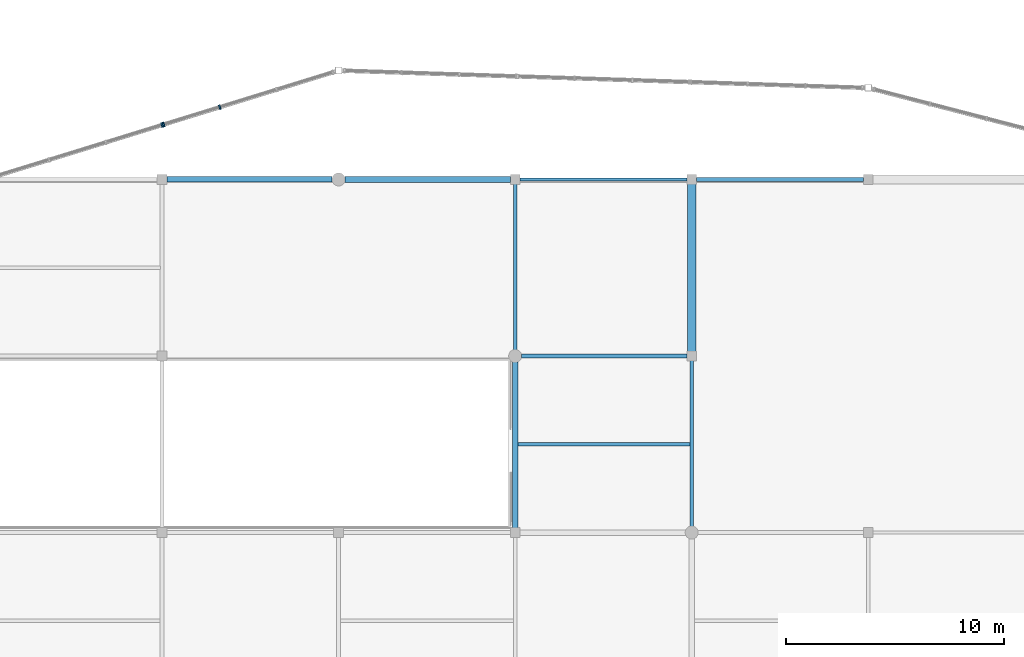
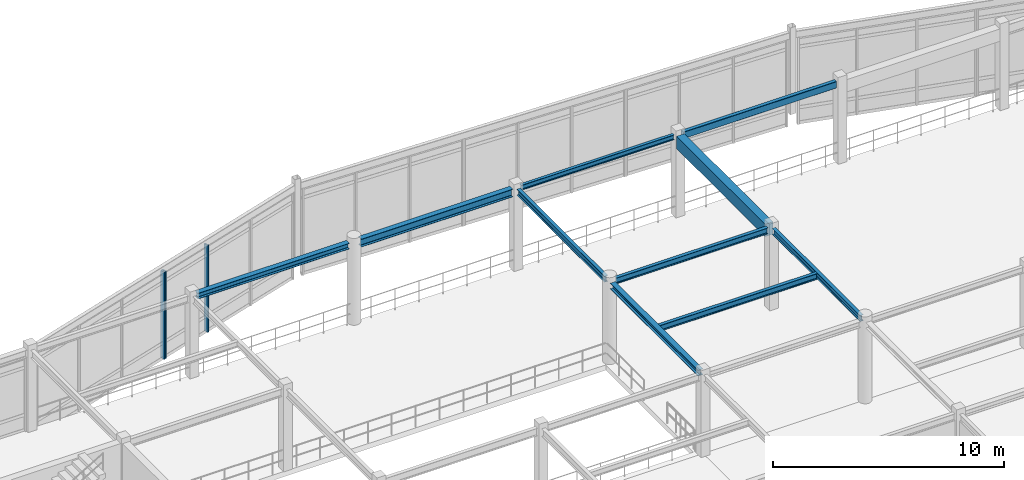
# One storey, part 24 of 93: 10 beams, 3 members, 2 elements without a shape of their own.
"""IFC4 building model written with IfcOpenShell, lengths in metres."""

import ifcopenshell
import ifcopenshell.guid

model = None  # the IFC model being written
_history = None  # IfcOwnerHistory: only IFC2X3 demands one
_inside = {}  # id of a spatial element -> (the spatial element, [elements in it])
_under = {}  # id of a project, library or spatial element -> (it, [spatial elements below it])
_declared = {}  # id of a project -> (the project, [libraries it declares])
_typed = {}  # id of a type object -> (the type object, [elements of that type])
_made_of = {}  # id of a material, layer set ... -> (it, [elements and type objects made of it])


def new_model(schema):
    """Start an empty IFC model of exactly this schema.

    Asked for "IFC4X3", IfcOpenShell would pick the latest addendum, in which some entities
    have other attributes; the version numbers below select the first issue.
    IFC2X3 requires an IfcOwnerHistory on every rooted entity: one is made here for all.
    """
    global model, _history
    if schema == "IFC4X3":
        model = ifcopenshell.file(schema_version=(4, 3, 0, 0))
    else:
        model = ifcopenshell.file(schema=schema)
    _inside.clear()
    _under.clear()
    _declared.clear()
    _typed.clear()
    _made_of.clear()
    _history = None
    if model.schema == "IFC2X3":
        org = make("IfcOrganization", Name="unknown")
        user = make(
            "IfcPersonAndOrganization",
            ThePerson=make("IfcPerson", FamilyName="unknown"),
            TheOrganization=org,
        )
        app = make(
            "IfcApplication",
            ApplicationDeveloper=org,
            Version="unknown",
            ApplicationFullName="unknown",
            ApplicationIdentifier="unknown",
        )
        _history = make(
            "IfcOwnerHistory",
            OwningUser=user,
            OwningApplication=app,
            ChangeAction="ADDED",
            CreationDate=0,
        )
    return model


def make(cls, **values):
    """One entity of the class cls with the attributes given. An attribute that is None is left unset."""
    return model.create_entity(
        cls, **{name: value for name, value in values.items() if value is not None}
    )


def rooted(cls, **values):
    """An entity with a GlobalId (a new one), such as an element, a storey or a relation."""
    return make(cls, GlobalId=ifcopenshell.guid.new(), OwnerHistory=_history, **values)


def si_unit(unit_type, name, prefix=None):
    """IfcSIUnit, for example si_unit("LENGTHUNIT", "METRE", prefix="MILLI")."""
    return make("IfcSIUnit", UnitType=unit_type, Prefix=prefix, Name=name)


def assignment(units):
    """IfcUnitAssignment: the units of a project."""
    return None if units is None else make("IfcUnitAssignment", Units=units)


def point(xyz):
    """IfcCartesianPoint."""
    return None if xyz is None else make("IfcCartesianPoint", Coordinates=xyz)


def direction(xyz):
    """IfcDirection."""
    return None if xyz is None else make("IfcDirection", DirectionRatios=xyz)


def frame(location, z_axis=None, x_axis=None):
    """IfcAxis2Placement3D, a coordinate frame: its origin and axes. An axis left out is left unset."""
    return make(
        "IfcAxis2Placement3D",
        Location=point(location),
        Axis=direction(z_axis),
        RefDirection=direction(x_axis),
    )


def frame_2d(location, x_axis=None):
    """IfcAxis2Placement2D, a coordinate frame in the plane: its origin and x axis."""
    return make(
        "IfcAxis2Placement2D", Location=point(location), RefDirection=direction(x_axis)
    )


def origin():
    """The frame at (0, 0, 0) with its axes left unset."""
    return frame((0.0, 0.0, 0.0))


def origin_2d():
    """The frame at (0, 0) in the plane with its x axis left unset."""
    return frame_2d((0.0, 0.0))


def place(relative_to, where):
    """IfcLocalPlacement: puts the frame where relative to a parent placement (None: the world)."""
    return make(
        "IfcLocalPlacement", PlacementRelTo=relative_to, RelativePlacement=where
    )


def context(
    kind, dimensions, precision=None, world=None, true_north=None, identifier=None
):
    """IfcGeometricRepresentationContext, for example the 3D "Model" context."""
    return make(
        "IfcGeometricRepresentationContext",
        ContextIdentifier=identifier,
        ContextType=kind,
        CoordinateSpaceDimension=dimensions,
        Precision=precision,
        WorldCoordinateSystem=world,
        TrueNorth=true_north,
    )


def subcontext(parent, identifier, kind, view, scale=None):
    """IfcGeometricRepresentationSubContext, for example "Body" below "Model"."""
    return make(
        "IfcGeometricRepresentationSubContext",
        ContextIdentifier=identifier,
        ContextType=kind,
        ParentContext=parent,
        TargetScale=scale,
        TargetView=view,
    )


def project(units=None, contexts=None):
    """IfcProject with its units and contexts."""
    return rooted(
        "IfcProject",
        Name="project",
        RepresentationContexts=contexts,
        UnitsInContext=assignment(units),
    )


def spatial(cls, under=None, at=None, **own):
    """A site, building, storey or space (cls), placed at a placement, below another one or the project."""
    s = rooted(cls, ObjectPlacement=at, **own)
    if under is not None:
        _under.setdefault(under.id(), (under, []))[1].append(s)
    return s


def profile(cls, at=None, kind="AREA", **sizes):
    """A parametric profile (cls). Its sizes go by their IFC names, for example OverallWidth=200.0."""
    return make(cls, ProfileType=kind, Position=at, **sizes)


def rectangle(**sizes):
    """IfcRectangleProfileDef."""
    return profile("IfcRectangleProfileDef", **sizes)


def hollow_rectangle(**sizes):
    """IfcRectangleHollowProfileDef."""
    return profile("IfcRectangleHollowProfileDef", **sizes)


def i_section(**sizes):
    """IfcIShapeProfileDef."""
    return profile("IfcIShapeProfileDef", **sizes)


def extrude(swept, where, along, depth):
    """IfcExtrudedAreaSolid: the profile swept, set in the frame where, extruded along a direction by depth."""
    return make(
        "IfcExtrudedAreaSolid",
        SweptArea=swept,
        Position=where,
        ExtrudedDirection=direction(along),
        Depth=depth,
    )


def shape(context_of_items, identifier, shape_type, items):
    """IfcShapeRepresentation: the items that make up one representation, for example the "Body"."""
    return make(
        "IfcShapeRepresentation",
        ContextOfItems=context_of_items,
        RepresentationIdentifier=identifier,
        RepresentationType=shape_type,
        Items=items,
    )


def material(Name=None, Category=None):
    """IfcMaterial."""
    return make("IfcMaterial", Name=Name, Category=Category)


def layer(
    of_material, thickness, ventilated=None, Name=None, Category=None, Priority=None
):
    """IfcMaterialLayer: one layer of a wall or slab, of a material (None: an air gap)."""
    return make(
        "IfcMaterialLayer",
        Material=of_material,
        LayerThickness=thickness,
        IsVentilated=ventilated,
        Name=Name,
        Category=Category,
        Priority=Priority,
    )


def layer_set(layers, Name=None):
    """IfcMaterialLayerSet."""
    return make("IfcMaterialLayerSet", MaterialLayers=layers, LayerSetName=Name)


def material_profile(
    of_material, cross_section, Name=None, Category=None, Priority=None
):
    """IfcMaterialProfile: a cross section and its material."""
    return make(
        "IfcMaterialProfile",
        Name=Name,
        Material=of_material,
        Profile=cross_section,
        Priority=Priority,
        Category=Category,
    )


def profile_set(profiles, Name=None, composite=None):
    """IfcMaterialProfileSet."""
    return make(
        "IfcMaterialProfileSet",
        Name=Name,
        MaterialProfiles=profiles,
        CompositeProfile=composite,
    )


def made_of(thing, what):
    """Note that an element or type object is made of a material, layer set ...; save() writes the relation."""
    if what is not None:
        _made_of.setdefault(what.id(), (what, []))[1].append(thing)
    return thing


def type_object(cls, material=None, **own):
    """A type object (cls), such as IfcWallType, which elements share."""
    return made_of(rooted(cls, **own), material)


def element(
    cls,
    number,
    at=None,
    inside=None,
    cuts=None,
    type_object=None,
    material=None,
    context=None,
    identifier="Body",
    shape_type=None,
    held_by="IfcProductDefinitionShape",
    body=None,
    shapes=None,
    **own,
):
    """One element of the class cls, such as IfcWall. Its Tag is "e" and its number.

    at: its placement. inside: the storey or other place that contains it. cuts: it is an
    opening in that element (IfcRelVoidsElement). A single representation is given by context,
    identifier, shape_type and body (its items); several are given by shapes. held_by: the class
    of the entity that holds the representations. save() writes the other relations.
    """
    e = rooted(cls, Tag="e%d" % number, ObjectPlacement=at, **own)
    if body is not None:
        shapes = [shape(context, identifier, shape_type, body)]
    if shapes is not None:
        e.Representation = make(held_by, Representations=shapes)
    if inside is not None:
        _inside.setdefault(inside.id(), (inside, []))[1].append(e)
    if cuts is not None:
        rooted(
            "IfcRelVoidsElement", RelatingBuildingElement=cuts, RelatedOpeningElement=e
        )
    if type_object is not None:
        _typed.setdefault(type_object.id(), (type_object, []))[1].append(e)
    return made_of(e, material)


def aggregate(whole, parts):
    """IfcRelAggregates: a whole, such as a stair, and the parts it consists of."""
    return rooted("IfcRelAggregates", RelatingObject=whole, RelatedObjects=parts)


def save(model, path):
    """Write the relations noted so far, then the file.

    IfcRelAggregates (storeys below a building ...), IfcRelContainedInSpatialStructure (elements
    in a storey), IfcRelDefinesByType, IfcRelAssociatesMaterial and IfcRelDeclares: one each for
    every whole, place, type object, material and project.
    """
    for whole, parts in _under.values():
        aggregate(whole, parts)
    for where, things in _inside.values():
        rooted(
            "IfcRelContainedInSpatialStructure",
            RelatedElements=things,
            RelatingStructure=where,
        )
    for kind, things in _typed.values():
        rooted("IfcRelDefinesByType", RelatedObjects=things, RelatingType=kind)
    for what, things in _made_of.values():
        rooted("IfcRelAssociatesMaterial", RelatedObjects=things, RelatingMaterial=what)
    for by, libraries in _declared.values():
        rooted("IfcRelDeclares", RelatingContext=by, RelatedDefinitions=libraries)
    model.write(path)


model = new_model("IFC4")

# Units and contexts
model_context = context("Model", 3, precision=1e-05, world=origin(), true_north=direction((0.0, 1.0)))
body_context = subcontext(model_context, "Body", "Model", "MODEL_VIEW")
ifc_project = project(units=[si_unit("LENGTHUNIT", "METRE"), si_unit("AREAUNIT", "SQUARE_METRE"), si_unit("VOLUMEUNIT", "CUBIC_METRE"), si_unit("PLANEANGLEUNIT", "RADIAN"), si_unit("MASSUNIT", "GRAM", prefix="KILO")], contexts=[model_context])

# Site, building, storey
site_placement = place(None, origin())
site = spatial("IfcSite", under=ifc_project, at=site_placement, CompositionType="ELEMENT")
building_placement = place(site_placement, origin())
building = spatial("IfcBuilding", under=site, at=building_placement, Name="Vaudrelin Polytechnic", CompositionType="ELEMENT")
storey_placement = place(building_placement, frame((0.0, 0.0, 5.10009765625)))
storey = spatial("IfcBuildingStorey", under=building, at=storey_placement, Name="L01", CompositionType="ELEMENT", Elevation=5.10009765625)

# Beams
ifc_material_1 = material(Name="Steel CSA G40.21 350WT", Category="steel")
ifc_material_profile_1 = material_profile(ifc_material_1, i_section(OverallWidth=0.260009765625, OverallDepth=0.4150390625, WebThickness=0.010009765625, FlangeThickness=0.016845703125, FilletRadius=0.01611328125, at=origin_2d()), Name="W410x100")
ifc_profile_set_1 = profile_set([ifc_material_profile_1], Name="Steel CSA G40.21 350WT")
beam_type_1 = type_object("IfcBeamType", Name="BM-BM-W410H", PredefinedType="SPANDREL", material=ifc_profile_set_1)
beam_1_placement = place(storey_placement, frame((73.196044921875, 48.60009765625, 4.102294921875), z_axis=(1.0, 0.0, 0.0), x_axis=(0.0, 1.0, 0.0)))
element("IfcBeam", 1, at=beam_1_placement, inside=storey, type_object=beam_type_1, Name="L01 X-beam 10-7", PredefinedType="SPANDREL", context=body_context, shape_type="SweptSolid", body=[
    extrude(i_section(OverallWidth=0.260009765625, OverallDepth=0.4150390625, WebThickness=0.010009765625, FlangeThickness=0.016845703125, FilletRadius=0.01611328125, at=origin_2d()), origin(), (0.0, 0.0, 1.0), 7.5830078125),
])
ifc_material_2 = material(Name="Steel CSA G40.21 350W", Category="steel")
ifc_material_profile_2 = material_profile(ifc_material_2, i_section(OverallWidth=0.14794921875, OverallDepth=0.26611328125, WebThickness=0.007568359375, FlangeThickness=0.012939453125, FilletRadius=0.012939453125, at=origin_2d()), Name="W250x45")
ifc_profile_set_2 = profile_set([ifc_material_profile_2], Name="Steel CSA G40.21 350W")
beam_type_2 = type_object("IfcBeamType", Name="BM-JS-W250", PredefinedType="JOIST", material=ifc_profile_set_2)
beam_2_placement = place(storey_placement, frame((81.220947265625, 48.60009765625, 4.177001953125), z_axis=(1.0, 0.0, 0.0), x_axis=(0.0, 1.0, 0.0)))
element("IfcBeam", 2, at=beam_2_placement, inside=storey, type_object=beam_type_2, Name="L01 X-beam 11-7", PredefinedType="JOIST", context=body_context, shape_type="SweptSolid", body=[
    extrude(i_section(OverallWidth=0.14794921875, OverallDepth=0.26611328125, WebThickness=0.007568359375, FlangeThickness=0.012939453125, FilletRadius=0.012939453125, at=origin_2d()), origin(), (0.0, 0.0, 1.0), 7.657958984375),
])
ifc_material_profile_3 = material_profile(ifc_material_2, i_section(OverallWidth=0.1669921875, OverallDepth=0.31689453125, WebThickness=0.007568359375, FlangeThickness=0.01318359375, FilletRadius=0.013916015625, at=origin_2d()), Name="W310x52")
ifc_profile_set_3 = profile_set([ifc_material_profile_3], Name="Steel CSA G40.21 350W")
beam_type_3 = type_object("IfcBeamType", Name="BM-JS-W310", PredefinedType="JOIST", material=ifc_profile_set_3)
for number, where, z_axis, x_axis, name in (
    (3, (81.0, 40.784912109375, 4.1513671875), (0.0, 1.0, 0.0), (-1.0, 0.0, 0.0), "L01 Y-beam 11-6"),
    (4, (89.10009765625, 32.68505859375, 4.1513671875), (0.0, 1.0, 0.0), (-1.0, 0.0, 0.0), "L01 Y-beam 12-5"),
):
    element("IfcBeam", number, at=place(storey_placement, frame(where, z_axis=z_axis, x_axis=x_axis)), inside=storey, type_object=beam_type_3, Name=name, PredefinedType="JOIST", context=body_context, shape_type="SweptSolid", body=[
        extrude(i_section(OverallWidth=0.1669921875, OverallDepth=0.31689453125, WebThickness=0.007568359375, FlangeThickness=0.01318359375, FilletRadius=0.013916015625, at=origin_2d()), origin(), (0.0, 0.0, 1.0), 7.60498046875),
    ])
beam_3_placement = place(storey_placement, frame((81.123046875, 36.449951171875, 4.1513671875), z_axis=(1.0, 0.0, 0.0), x_axis=(0.0, 1.0, 0.0)))
element("IfcBeam", 5, at=beam_3_placement, inside=storey, type_object=beam_type_3, Name="L01 floor joist 11-5", PredefinedType="JOIST", context=body_context, shape_type="SweptSolid", body=[
    extrude(i_section(OverallWidth=0.1669921875, OverallDepth=0.31689453125, WebThickness=0.007568359375, FlangeThickness=0.01318359375, FilletRadius=0.013916015625, at=origin_2d()), origin(), (0.0, 0.0, 1.0), 7.8974609375),
])
beam_4_placement = place(storey_placement, frame((81.2958984375, 40.5, 4.1513671875), z_axis=(1.0, 0.0, 0.0), x_axis=(0.0, 1.0, 0.0)))
element("IfcBeam", 6, at=beam_4_placement, inside=storey, type_object=beam_type_3, Name="L01 X-beam 11-6", PredefinedType="JOIST", context=body_context, shape_type="SweptSolid", body=[
    extrude(i_section(OverallWidth=0.1669921875, OverallDepth=0.31689453125, WebThickness=0.007568359375, FlangeThickness=0.01318359375, FilletRadius=0.013916015625, at=origin_2d()), origin(), (0.0, 0.0, 1.0), 7.5830078125),
])
ifc_material_profile_4 = material_profile(ifc_material_1, i_section(OverallWidth=0.25390625, OverallDepth=0.305908203125, WebThickness=0.0087890625, FlangeThickness=0.0146484375, FilletRadius=0.01611328125, at=origin_2d()), Name="W310x79")
ifc_profile_set_4 = profile_set([ifc_material_profile_4], Name="Steel CSA G40.21 350WT")
beam_type_4 = type_object("IfcBeamType", Name="BM-JS-W310H", PredefinedType="SPANDREL", material=ifc_profile_set_4)
beam_5_placement = place(storey_placement, frame((81.0, 32.610107421875, 4.156982421875), z_axis=(0.0, 1.0, 0.0), x_axis=(-1.0, 0.0, 0.0)))
element("IfcBeam", 7, at=beam_5_placement, inside=storey, type_object=beam_type_4, Name="L01 Y-beam 11-5", PredefinedType="SPANDREL", context=body_context, shape_type="SweptSolid", body=[
    extrude(i_section(OverallWidth=0.25390625, OverallDepth=0.305908203125, WebThickness=0.0087890625, FlangeThickness=0.0146484375, FilletRadius=0.01611328125, at=origin_2d()), origin(), (0.0, 0.0, 1.0), 7.60498046875),
])
beam_6_placement = place(storey_placement, frame((65.02099609375, 48.60009765625, 4.156982421875), z_axis=(1.0, 0.0, 0.0), x_axis=(0.0, 1.0, 0.0)))
element("IfcBeam", 8, at=beam_6_placement, inside=storey, type_object=beam_type_4, Name="L01 X-beam 9-7", PredefinedType="SPANDREL", context=body_context, shape_type="SweptSolid", body=[
    extrude(i_section(OverallWidth=0.25390625, OverallDepth=0.305908203125, WebThickness=0.0087890625, FlangeThickness=0.0146484375, FilletRadius=0.01611328125, at=origin_2d()), origin(), (0.0, 0.0, 1.0), 7.5830078125),
])
ifc_material_profile_5 = material_profile(ifc_material_1, hollow_rectangle(XDim=0.202880859375, YDim=0.35595703125, WallThickness=0.0126953125, InnerFilletRadius=0.0126953125, OuterFilletRadius=0.025390625, at=origin_2d()), Name="HSS356x203x12.7")
ifc_profile_set_5 = profile_set([ifc_material_profile_5], Name="Steel CSA G40.21 350WT")
beam_type_5 = type_object("IfcBeamType", Name="BM-SP-HSS35", PredefinedType="SPANDREL", material=ifc_profile_set_5)
beam_7_placement = place(storey_placement, frame((89.321044921875, 48.60009765625, 4.1318359375), z_axis=(1.0, 0.0, 0.0), x_axis=(0.0, 1.0, 0.0)))
element("IfcBeam", 9, at=beam_7_placement, inside=storey, type_object=beam_type_5, Name="L01 X-beam 12-7", PredefinedType="SPANDREL", context=body_context, shape_type="SweptSolid", body=[
    extrude(hollow_rectangle(XDim=0.202880859375, YDim=0.35595703125, WallThickness=0.0126953125, InnerFilletRadius=0.0126953125, OuterFilletRadius=0.025390625, at=origin_2d()), origin(), (0.0, 0.0, 1.0), 7.657958984375),
])
ifc_material_3 = material(Name="Concrete 40 MPa", Category="concrete")
ifc_material_profile_6 = material_profile(ifc_material_3, rectangle(XDim=0.39990234375, YDim=0.64990234375, at=origin_2d()), Name="RC400x650")
ifc_profile_set_6 = profile_set([ifc_material_profile_6], Name="Concrete 40 MPa")
beam_type_6 = type_object("IfcBeamType", Name="BM-SP-RC4065", PredefinedType="SPANDREL", material=ifc_profile_set_6)
beam_8_placement = place(storey_placement, frame((89.10009765625, 40.7099609375, 3.98486328125), z_axis=(0.0, 1.0, 0.0), x_axis=(-1.0, 0.0, 0.0)))
element("IfcBeam", 10, at=beam_8_placement, inside=storey, type_object=beam_type_6, Name="L01 Y-beam 12-6", PredefinedType="SPANDREL", context=body_context, shape_type="SweptSolid", body=[
    extrude(rectangle(XDim=0.39990234375, YDim=0.64990234375, at=origin_2d()), origin(), (0.0, 0.0, 1.0), 7.679931640625),
])

# Curtain wall, member
ifc_material_4 = material(Name="Thermally broken anodised aluminium AA 6063-T6 and low-e triple glazing", Category="aluminium")
ifc_layer = layer(ifc_material_4, 0.199951171875)
ifc_layer_set = layer_set([ifc_layer], Name="Thermally broken anodised aluminium AA 6063-T6 and low-e triple glazing")
curtain_wall_type = type_object("IfcCurtainWallType", Name="CW-CW-WG", PredefinedType="USERDEFINED", material=ifc_layer_set)
curtain_wall_1_placement = place(storey_placement, origin())
curtain_wall_1 = element("IfcCurtainWall", 11, at=curtain_wall_1_placement, inside=storey, type_object=curtain_wall_type, Name="Curtain wall L01 CT_OR1_1_0", ObjectType="CURTAIN WALL", PredefinedType="USERDEFINED")
ifc_material_5 = material(Name="Anodised aluminium AA 6063-T6", Category="aluminium")
ifc_material_profile_7 = material_profile(ifc_material_5, rectangle(XDim=0.074951171875, YDim=0.219970703125, at=origin_2d()), Name="CWM-75x220")
ifc_profile_set_7 = profile_set([ifc_material_profile_7], Name="Anodised aluminium AA 6063-T6")
member_type = type_object("IfcMemberType", Name="MEM-CWM-220", PredefinedType="MULLION", material=ifc_profile_set_7)
member_1_placement = place(storey_placement, frame((64.798095703125, 51.099365234375, -0.630126953125), z_axis=(0.0, 0.0, 1.0), x_axis=(0.955523502988, 0.294914962723, 0.0)))
member_1 = element("IfcMember", 12, at=member_1_placement, type_object=member_type, Name="CT_OR1_1_0 mullion 4", PredefinedType="MULLION", context=body_context, shape_type="SweptSolid", body=[
    extrude(rectangle(XDim=0.074951171875, YDim=0.219970703125, at=origin_2d()), origin(), (0.0, 0.0, 1.0), 4.610107421875),
])
aggregate(curtain_wall_1, [member_1])

# Curtain wall, members
curtain_wall_2_placement = place(storey_placement, origin())
curtain_wall_2 = element("IfcCurtainWall", 13, at=curtain_wall_2_placement, inside=storey, type_object=curtain_wall_type, Name="Curtain wall L01 CT_OR1_1_1", ObjectType="CURTAIN WALL", PredefinedType="USERDEFINED")
member_2_placement = place(storey_placement, frame((64.87451171875, 51.123046875, -0.630126953125), z_axis=(0.0, 0.0, 1.0), x_axis=(0.955522441596, 0.294918401608, 0.0)))
member_2 = element("IfcMember", 14, at=member_2_placement, type_object=member_type, Name="CT_OR1_1_1 mullion 1", PredefinedType="MULLION", context=body_context, shape_type="SweptSolid", body=[
    extrude(rectangle(XDim=0.074951171875, YDim=0.219970703125, at=origin_2d()), origin(), (0.0, 0.0, 1.0), 4.610107421875),
])
member_3_placement = place(storey_placement, frame((67.4462890625, 51.916748046875, -0.630126953125), z_axis=(0.0, 0.0, 1.0), x_axis=(0.955522441596, 0.294918401608, 0.0)))
member_3 = element("IfcMember", 15, at=member_3_placement, type_object=member_type, Name="CT_OR1_1_1 mullion 2", PredefinedType="MULLION", context=body_context, shape_type="SweptSolid", body=[
    extrude(rectangle(XDim=0.074951171875, YDim=0.219970703125, at=origin_2d()), origin(), (0.0, 0.0, 1.0), 4.610107421875),
])
aggregate(curtain_wall_2, [member_2, member_3])

save(model, "model.ifc")
